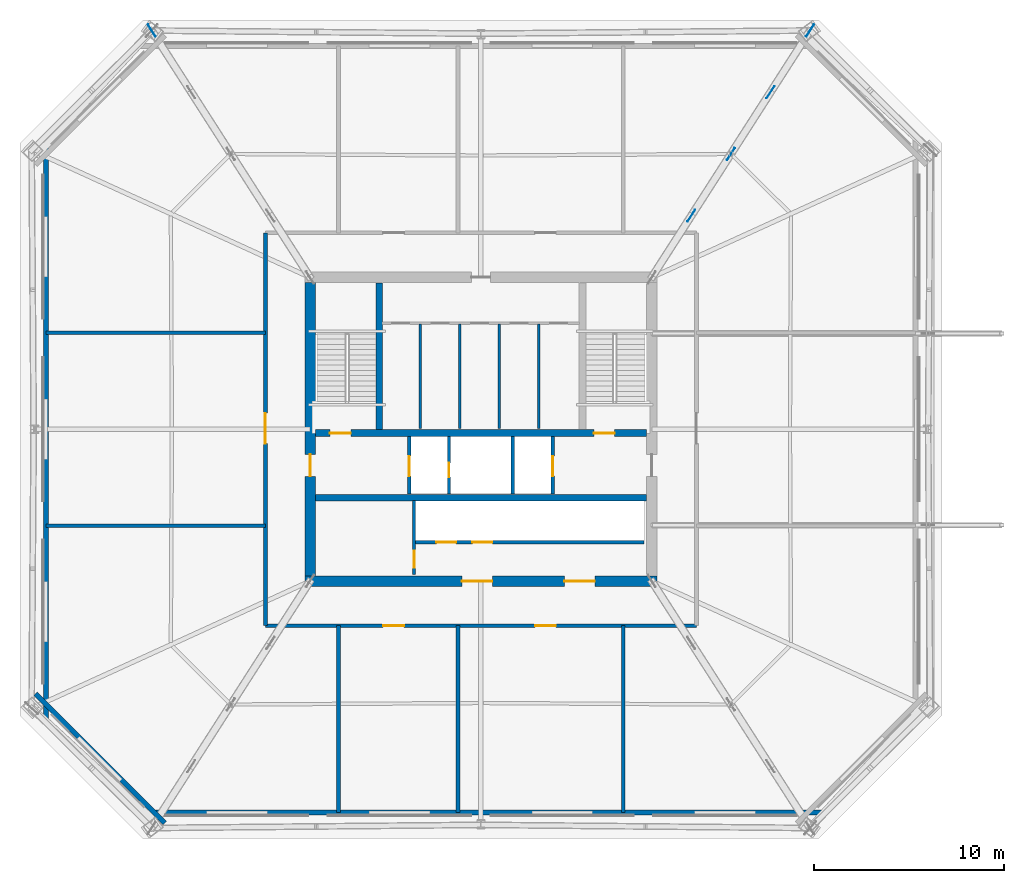
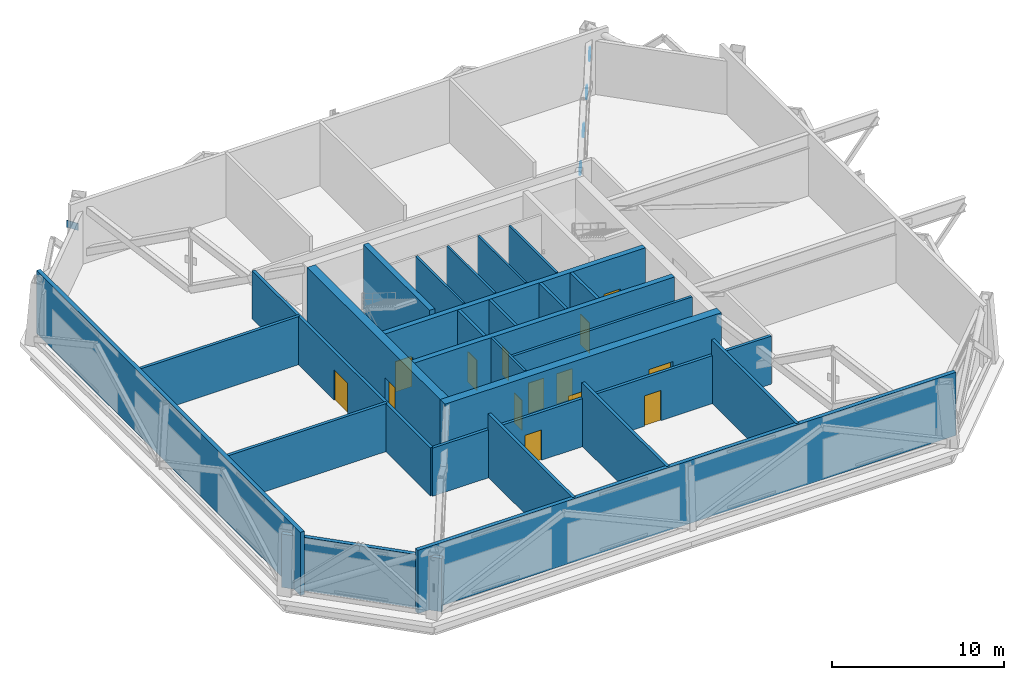
# One storey, part 11 of 15: 25 walls, 14 doors, 5 plates, 14 openings.
"""IFC4 building model written with IfcOpenShell, lengths in metres."""

from ifc_helpers import new_model, si_unit, direction, frame, frame_2d, origin, origin_2d, place, context, subcontext, project, spatial, rectangle, extrude, material, layer, layer_set, type_object, element, fill, save


model = new_model("IFC4")

# Units and contexts
model_context = context("Model", 3, precision=1e-05, world=origin(), true_north=direction((0.0, 1.0)))
body_context = subcontext(model_context, "Body", "Model", "MODEL_VIEW")
ifc_project = project(units=[si_unit("LENGTHUNIT", "METRE"), si_unit("AREAUNIT", "SQUARE_METRE"), si_unit("VOLUMEUNIT", "CUBIC_METRE"), si_unit("PLANEANGLEUNIT", "RADIAN"), si_unit("MASSUNIT", "GRAM", prefix="KILO")], contexts=[model_context])

# Site, building, storey
site_placement = place(None, origin())
site = spatial("IfcSite", under=ifc_project, at=site_placement, CompositionType="ELEMENT")
building_placement = place(site_placement, origin())
building = spatial("IfcBuilding", under=site, at=building_placement, Name="Caelvoria Tower", CompositionType="ELEMENT")
storey_placement = place(building_placement, frame((0.0, 0.0, 167.199951171875)))
storey = spatial("IfcBuildingStorey", under=building, at=storey_placement, Name="L44", CompositionType="ELEMENT", Elevation=167.199951171875)

# Plates
ifc_material_1 = material(Name="Structural Steel ASTM A572 Gr.50", Category="steel")
ifc_layer_1 = layer(ifc_material_1, 0.035888671875, Name="Structural Steel ASTM A572 Gr.50")
ifc_layer_set_1 = layer_set([ifc_layer_1], Name="Outrigger Node Gusset Plate 750x500x36 - Structural Steel ASTM A572 Gr.50")
plate_type = type_object("IfcPlateType", Name="Outrigger Node Gusset Plate 750x500x36", PredefinedType="USERDEFINED", material=ifc_layer_set_1)
for number, where, z_axis, x_axis, name in (
    (1, (63.341552734375, 53.0048828125, 1.989990234375), (0.0, 0.0, 1.0), (0.539903941972, 0.841726638193, 0.0), "Outrigger Gusset Plate END L44-NE"),
    (2, (59.1708984375, 46.50244140625, 1.989990234375), (0.0, 0.0, 1.0), (0.539903941972, 0.841726638193, 0.0), "Outrigger Gusset Plate MID L44-NE"),
    (3, (57.08544921875, 43.251220703125, 1.989990234375), (0.0, 0.0, 1.0), (0.539903941972, 0.841726638193, 0.0), "Outrigger Gusset Plate X1 L44-NE"),
    (4, (61.256103515625, 49.753662109375, 1.989990234375), (0.0, 0.0, 1.0), (0.539903941972, 0.841726638193, 0.0), "Outrigger Gusset Plate X2 L44-NE"),
    (5, (28.658447265625, 53.0048828125, 1.989990234375), (0.0, 0.0, 1.0), (-0.539903941972, 0.841726638193, 0.0), "Outrigger Gusset Plate END L44-NW"),
):
    element("IfcPlate", number, at=place(storey_placement, frame(where, z_axis=z_axis, x_axis=x_axis)), inside=storey, type_object=plate_type, Name=name, ObjectType="GUSSET_PLATE", PredefinedType="USERDEFINED", context=body_context, shape_type="SweptSolid", body=[
        extrude(rectangle(XDim=0.75, YDim=0.035888671875, at=origin_2d()), origin(), (0.0, 0.0, 1.0), 0.5),
    ])

# Wall, openings, doors
ifc_material_2 = material(Name="Concrete C50/60", Category="concrete")
ifc_layer_2 = layer(ifc_material_2, 0.35009765625, Name="Concrete C50/60")
ifc_layer_set_2 = layer_set([ifc_layer_2], Name="Core Internal Shear Wall 350 - Concrete C50/60")
wall_type_1 = type_object("IfcWallType", Name="Core Internal Shear Wall 350", PredefinedType="SHEAR", material=ifc_layer_set_2)
wall_1_placement = place(storey_placement, frame((37.27490234375, 31.800048828125, 0.0), z_axis=(0.0, 0.0, 1.0), x_axis=(1.0, 0.0, 0.0)))
wall_1 = element("IfcWall", 6, at=wall_1_placement, inside=storey, type_object=wall_type_1, Name="Core Shear Wall L44 M1", PredefinedType="SHEAR", context=body_context, shape_type="SweptSolid", body=[
    extrude(rectangle(XDim=17.4501953125, YDim=0.35009765625, at=frame_2d((8.72509765625, 0.0))), origin(), (0.0, 0.0, 1.0), 4.47998046875),
])
opening_1_placement = place(wall_1_placement, frame((0.77490234375, 0.0, 0.0)))
opening_1 = element("IfcOpeningElement", 7, at=opening_1_placement, cuts=wall_1, Name="Opening ID-01", PredefinedType="OPENING", context=body_context, shape_type="SweptSolid", body=[
    extrude(rectangle(XDim=1.10009765625, YDim=2.14990234375, at=frame_2d((0.550048828125, 1.074951171875))), frame((0.0, 0.18505859375, 0.0), z_axis=(0.0, -1.0, 0.0), x_axis=(1.0, 0.0, 0.0)), (0.0, 0.0, 1.0), 0.3701171875),
])
opening_2_placement = place(wall_1_placement, frame((14.675048828125, 0.0, 0.0)))
opening_2 = element("IfcOpeningElement", 8, at=opening_2_placement, cuts=wall_1, Name="Opening ID-01", PredefinedType="OPENING", context=body_context, shape_type="SweptSolid", body=[
    extrude(rectangle(XDim=1.10009765625, YDim=2.14990234375, at=frame_2d((0.550048828125, 1.074951171875))), frame((0.0, 0.18505859375, 0.0), z_axis=(0.0, -1.0, 0.0), x_axis=(1.0, 0.0, 0.0)), (0.0, 0.0, 1.0), 0.3701171875),
])
ifc_material_3 = material(Name="Painted Hollow Steel Fire Door", Category="steel")
door_type_1 = type_object("IfcDoorType", Name="Fire Door FD90S 1100x2150", OperationType="NOTDEFINED", PredefinedType="DOOR", material=ifc_material_3)
door_1_placement = place(opening_1_placement, origin())
door_1 = element("IfcDoor", 9, at=door_1_placement, inside=storey, type_object=door_type_1, Name="Core Door DR-L44-ST1", OperationType="SINGLE_SWING_LEFT", OverallHeight=2.14990234375, OverallWidth=1.10009765625, PredefinedType="DOOR", context=body_context, shape_type="SweptSolid", body=[
    extrude(rectangle(XDim=1.10009765625, YDim=2.14990234375, at=frame_2d((0.550048828125, 1.074951171875))), frame((0.0, 0.02490234375, 0.0), z_axis=(0.0, -1.0, 0.0), x_axis=(1.0, 0.0, 0.0)), (0.0, 0.0, 1.0), 0.050048828125),
])
fill(opening_1, door_1)
door_2_placement = place(opening_2_placement, origin())
door_2 = element("IfcDoor", 10, at=door_2_placement, inside=storey, type_object=door_type_1, Name="Core Door DR-L44-ST2", OperationType="SINGLE_SWING_RIGHT", OverallHeight=2.14990234375, OverallWidth=1.10009765625, PredefinedType="DOOR", context=body_context, shape_type="SweptSolid", body=[
    extrude(rectangle(XDim=1.10009765625, YDim=2.14990234375, at=frame_2d((0.550048828125, 1.074951171875))), frame((0.0, 0.02490234375, 0.0), z_axis=(0.0, -1.0, 0.0), x_axis=(1.0, 0.0, 0.0)), (0.0, 0.0, 1.0), 0.050048828125),
])
fill(opening_2, door_2)

# Walls
wall_2_placement = place(storey_placement, frame((37.27490234375, 28.39990234375, 0.0), z_axis=(0.0, 0.0, 1.0), x_axis=(1.0, 0.0, 0.0)))
element("IfcWall", 11, at=wall_2_placement, inside=storey, type_object=wall_type_1, Name="Core Shear Wall L44 M2", PredefinedType="SHEAR", context=body_context, shape_type="SweptSolid", body=[
    extrude(rectangle(XDim=17.4501953125, YDim=0.35009765625, at=frame_2d((8.72509765625, 0.0))), origin(), (0.0, 0.0, 1.0), 4.47998046875),
])
wall_3_placement = place(storey_placement, frame((40.64990234375, 32.0, 0.0), z_axis=(0.0, 0.0, 1.0), x_axis=(0.0, 1.0, 0.0)))
element("IfcWall", 12, at=wall_3_placement, inside=storey, type_object=wall_type_1, Name="Interior Partition IW-L44-ST1E", PredefinedType="SHEAR", context=body_context, shape_type="SweptSolid", body=[
    extrude(rectangle(XDim=7.699951171875, YDim=0.35009765625, at=frame_2d((3.85009765625, 0.0))), origin(), (0.0, 0.0, 1.0), 4.800048828125),
])
ifc_material_4 = material(Name="Moisture-Resistant Gypsum on Steel Stud", Category="steel")
ifc_layer_3 = layer(ifc_material_4, 0.139892578125, Name="Moisture-Resistant Gypsum on Steel Stud")
ifc_layer_set_3 = layer_set([ifc_layer_3], Name="Core Sanitary Acoustic Partition Wall 140 - Moisture-Resistant Gypsum on Steel Stud")
wall_type_2 = type_object("IfcWallType", Name="Core Sanitary Acoustic Partition Wall 140", PredefinedType="PARTITIONING", material=ifc_layer_set_3)
for number, where, z_axis, x_axis, name in (
    (13, (42.81005859375, 32.050048828125, 0.0), (0.0, 0.0, 1.0), (0.0, 1.0, 0.0), "Interior Partition IW-L44-C1V0"),
    (14, (44.889892578125, 32.050048828125, 0.0), (0.0, 0.0, 1.0), (0.0, 1.0, 0.0), "Interior Partition IW-L44-C1V1"),
    (15, (46.969970703125, 32.050048828125, 0.0), (0.0, 0.0, 1.0), (0.0, 1.0, 0.0), "Interior Partition IW-L44-C1V2"),
    (16, (49.050048828125, 32.050048828125, 0.0), (0.0, 0.0, 1.0), (0.0, 1.0, 0.0), "Interior Partition IW-L44-C1V3"),
):
    element("IfcWall", number, at=place(storey_placement, frame(where, z_axis=z_axis, x_axis=x_axis)), inside=storey, type_object=wall_type_2, Name=name, PredefinedType="PARTITIONING", context=body_context, shape_type="SweptSolid", body=[
        extrude(rectangle(XDim=5.5, YDim=0.139892578125, at=frame_2d((2.75, 0.0))), origin(), (0.0, 0.0, 1.0), 4.47998046875),
    ])

# Wall, opening, door
ifc_material_5 = material(Name="Double Gypsum Board on Steel Stud", Category="steel")
ifc_layer_4 = layer(ifc_material_5, 0.14990234375, Name="Double Gypsum Board on Steel Stud")
ifc_layer_set_4 = layer_set([ifc_layer_4], Name="Core Service Acoustic Partition Wall 150 - Double Gypsum Board on Steel Stud")
wall_type_3 = type_object("IfcWallType", Name="Core Service Acoustic Partition Wall 150", PredefinedType="PARTITIONING", material=ifc_layer_set_4)
wall_4_placement = place(storey_placement, frame((42.47998046875, 24.35009765625, 0.0), z_axis=(0.0, 0.0, 1.0), x_axis=(0.0, 1.0, 0.0)))
wall_4 = element("IfcWall", 17, at=wall_4_placement, inside=storey, type_object=wall_type_3, Name="Interior Partition IW-L44-RECL1E", PredefinedType="PARTITIONING", context=body_context, shape_type="SweptSolid", body=[
    extrude(rectangle(XDim=3.89990234375, YDim=0.14990234375, at=frame_2d((1.949951171875, 0.0))), origin(), (0.0, 0.0, 1.0), 4.47998046875),
])
opening_3_placement = place(wall_4_placement, frame((0.35009765625, 0.0, 0.0)))
opening_3 = element("IfcOpeningElement", 18, at=opening_3_placement, cuts=wall_4, Name="Opening ID-04", PredefinedType="OPENING", context=body_context, shape_type="SweptSolid", body=[
    extrude(rectangle(XDim=0.89990234375, YDim=2.14990234375, at=frame_2d((0.449951171875, 1.074951171875))), frame((0.0, 0.0849609375, 0.0), z_axis=(0.0, -1.0, 0.0), x_axis=(1.0, 0.0, 0.0)), (0.0, 0.0, 1.0), 0.169921875),
])
ifc_material_6 = material(Name="Acoustic Timber Fire Door", Category="wood")
door_type_2 = type_object("IfcDoorType", Name="Fire Door FD30S 900x2150", OperationType="NOTDEFINED", PredefinedType="DOOR", material=ifc_material_6)
door_3_placement = place(opening_3_placement, origin())
door_3 = element("IfcDoor", 19, at=door_3_placement, inside=storey, type_object=door_type_2, Name="Interior Door DR-L44-RECL1", OperationType="SINGLE_SWING_LEFT", OverallHeight=2.14990234375, OverallWidth=0.89990234375, PredefinedType="DOOR", context=body_context, shape_type="SweptSolid", body=[
    extrude(rectangle(XDim=0.89990234375, YDim=2.14990234375, at=frame_2d((0.449951171875, 1.074951171875))), frame((0.0, 0.02490234375, 0.0), z_axis=(0.0, -1.0, 0.0), x_axis=(1.0, 0.0, 0.0)), (0.0, 0.0, 1.0), 0.050048828125),
])
fill(opening_3, door_3)

ifc_material_7 = material(Name="Concrete Block and Fireboard Assembly", Category="concrete")
ifc_layer_5 = layer(ifc_material_7, 0.179931640625, Name="Concrete Block and Fireboard Assembly")
ifc_layer_set_5 = layer_set([ifc_layer_5], Name="Fire-Rated Hoistway Partition Wall 180 - Concrete Block and Fireboard Assembly")
wall_type_4 = type_object("IfcWallType", Name="Fire-Rated Hoistway Partition Wall 180", PredefinedType="PARTITIONING", material=ifc_layer_set_5)
wall_5_placement = place(storey_placement, frame((44.320068359375, 28.580078125, 0.0), z_axis=(0.0, 0.0, 1.0), x_axis=(0.0, 1.0, 0.0)))
wall_5 = element("IfcWall", 20, at=wall_5_placement, inside=storey, type_object=wall_type_4, Name="Interior Partition IW-L44-SV1W", PredefinedType="PARTITIONING", context=body_context, shape_type="SweptSolid", body=[
    extrude(rectangle(XDim=3.0400390625, YDim=0.179931640625, at=frame_2d((1.52001953125, 0.0))), origin(), (0.0, 0.0, 1.0), 4.47998046875),
])
opening_4_placement = place(wall_5_placement, frame((0.89990234375, 0.0, 0.0)))
opening_4 = element("IfcOpeningElement", 21, at=opening_4_placement, cuts=wall_5, Name="Opening TD-01", PredefinedType="OPENING", context=body_context, shape_type="SweptSolid", body=[
    extrude(rectangle(XDim=0.75, YDim=2.0, at=frame_2d((0.375, 1.0))), frame((0.0, 0.099853515625, 0.0), z_axis=(0.0, -1.0, 0.0), x_axis=(1.0, 0.0, 0.0)), (0.0, 0.0, 1.0), 0.199951171875),
])
ifc_material_8 = material(Name="Insulated Steel Service Access Trapdoor", Category="steel")
door_type_3 = type_object("IfcDoorType", Name="Riser Maintenance Access Trapdoor 750x1850", OperationType="NOTDEFINED", PredefinedType="TRAPDOOR", material=ifc_material_8)
door_4_placement = place(opening_4_placement, origin())
door_4 = element("IfcDoor", 22, at=door_4_placement, inside=storey, type_object=door_type_3, Name="Wet Riser Access Trapdoor L44", OperationType="SINGLE_SWING_LEFT", OverallHeight=2.0, OverallWidth=0.75, PredefinedType="TRAPDOOR", context=body_context, shape_type="SweptSolid", body=[
    extrude(rectangle(XDim=0.75, YDim=2.0, at=frame_2d((0.375, 1.0))), frame((0.0, 0.02490234375, 0.0), z_axis=(0.0, -1.0, 0.0), x_axis=(1.0, 0.0, 0.0)), (0.0, 0.0, 1.0), 0.050048828125),
])
fill(opening_4, door_4)

# Wall
wall_6_placement = place(storey_placement, frame((47.679931640625, 28.580078125, 0.0), z_axis=(0.0, 0.0, 1.0), x_axis=(0.0, 1.0, 0.0)))
element("IfcWall", 23, at=wall_6_placement, inside=storey, type_object=wall_type_4, Name="Interior Partition IW-L44-SV1E", PredefinedType="PARTITIONING", context=body_context, shape_type="SweptSolid", body=[
    extrude(rectangle(XDim=3.0400390625, YDim=0.179931640625, at=frame_2d((1.52001953125, 0.0))), origin(), (0.0, 0.0, 1.0), 4.47998046875),
])

# Wall, openings, doors
wall_7_placement = place(storey_placement, frame((42.550048828125, 26.050048828125, 0.0), z_axis=(0.0, 0.0, 1.0), x_axis=(1.0, 0.0, 0.0)))
wall_7 = element("IfcWall", 24, at=wall_7_placement, inside=storey, type_object=wall_type_4, Name="Interior Partition IW-L44-LFRONT", PredefinedType="PARTITIONING", context=body_context, shape_type="SweptSolid", body=[
    extrude(rectangle(XDim=12.050048828125, YDim=0.179931640625, at=frame_2d((6.02490234375, 0.0))), origin(), (0.0, 0.0, 1.0), 4.47998046875),
])
opening_5_placement = place(wall_7_placement, frame((1.10009765625, 0.0, 0.0)))
opening_5 = element("IfcOpeningElement", 25, at=opening_5_placement, cuts=wall_7, Name="Opening LD-01", PredefinedType="OPENING", context=body_context, shape_type="SweptSolid", body=[
    extrude(rectangle(XDim=1.050048828125, YDim=2.14990234375, at=frame_2d((0.52490234375, 1.074951171875))), frame((0.0, 0.099853515625, 0.0), z_axis=(0.0, -1.0, 0.0), x_axis=(1.0, 0.0, 0.0)), (0.0, 0.0, 1.0), 0.199951171875),
])
opening_6_placement = place(wall_7_placement, frame((3.0, 0.0, 0.0)))
opening_6 = element("IfcOpeningElement", 26, at=opening_6_placement, cuts=wall_7, Name="Opening LD-01", PredefinedType="OPENING", context=body_context, shape_type="SweptSolid", body=[
    extrude(rectangle(XDim=1.050048828125, YDim=2.14990234375, at=frame_2d((0.52490234375, 1.074951171875))), frame((0.0, 0.099853515625, 0.0), z_axis=(0.0, -1.0, 0.0), x_axis=(1.0, 0.0, 0.0)), (0.0, 0.0, 1.0), 0.199951171875),
])
ifc_material_9 = material(Name="Brushed Bronze Stainless Sliding Landing Door", Category="aluminium")
door_type_4 = type_object("IfcDoorType", Name="Lift Landing Sliding Door 1100x2150", OperationType="NOTDEFINED", PredefinedType="DOOR", material=ifc_material_9)
door_5_placement = place(opening_5_placement, origin())
door_5 = element("IfcDoor", 27, at=door_5_placement, inside=storey, type_object=door_type_4, Name="Interior Door LD-L44-PM1", OperationType="SLIDING_TO_LEFT", OverallHeight=2.14990234375, OverallWidth=1.050048828125, PredefinedType="DOOR", context=body_context, shape_type="SweptSolid", body=[
    extrude(rectangle(XDim=1.050048828125, YDim=2.14990234375, at=frame_2d((0.52490234375, 1.074951171875))), frame((0.0, 0.02490234375, 0.0), z_axis=(0.0, -1.0, 0.0), x_axis=(1.0, 0.0, 0.0)), (0.0, 0.0, 1.0), 0.050048828125),
])
fill(opening_5, door_5)
door_6_placement = place(opening_6_placement, origin())
door_6 = element("IfcDoor", 28, at=door_6_placement, inside=storey, type_object=door_type_4, Name="Interior Door LD-L44-PM2", OperationType="SLIDING_TO_RIGHT", OverallHeight=2.14990234375, OverallWidth=1.050048828125, PredefinedType="DOOR", context=body_context, shape_type="SweptSolid", body=[
    extrude(rectangle(XDim=1.050048828125, YDim=2.14990234375, at=frame_2d((0.52490234375, 1.074951171875))), frame((0.0, 0.02490234375, 0.0), z_axis=(0.0, -1.0, 0.0), x_axis=(1.0, 0.0, 0.0)), (0.0, 0.0, 1.0), 0.050048828125),
])
fill(opening_6, door_6)

# Wall, opening, door
ifc_layer_6 = layer(ifc_material_7, 0.199951171875, Name="Concrete Block and Fireboard Assembly")
ifc_layer_set_6 = layer_set([ifc_layer_6], Name="Fire-Rated Shaft and Core Partition Wall 200 - Concrete Block and Fireboard Assembly")
wall_type_5 = type_object("IfcWallType", Name="Fire-Rated Shaft and Core Partition Wall 200", PredefinedType="PARTITIONING", material=ifc_layer_set_6)
wall_8_placement = place(storey_placement, frame((42.219970703125, 28.580078125, 0.0), z_axis=(0.0, 0.0, 1.0), x_axis=(0.0, 1.0, 0.0)))
wall_8 = element("IfcWall", 29, at=wall_8_placement, inside=storey, type_object=wall_type_5, Name="Interior Partition IW-L44-LF1W", PredefinedType="PARTITIONING", context=body_context, shape_type="SweptSolid", body=[
    extrude(rectangle(XDim=3.0400390625, YDim=0.199951171875, at=frame_2d((1.52001953125, 0.0))), origin(), (0.0, 0.0, 1.0), 4.47998046875),
])
opening_7_placement = place(wall_8_placement, frame((0.949951171875, 0.0, 0.0)))
opening_7 = element("IfcOpeningElement", 30, at=opening_7_placement, cuts=wall_8, Name="Opening LD-01", PredefinedType="OPENING", context=body_context, shape_type="SweptSolid", body=[
    extrude(rectangle(XDim=1.050048828125, YDim=2.14990234375, at=frame_2d((0.52490234375, 1.074951171875))), frame((0.0, 0.10986328125, 0.0), z_axis=(0.0, -1.0, 0.0), x_axis=(1.0, 0.0, 0.0)), (0.0, 0.0, 1.0), 0.219970703125),
])
door_7_placement = place(opening_7_placement, origin())
door_7 = element("IfcDoor", 31, at=door_7_placement, inside=storey, type_object=door_type_4, Name="Interior Door LD-L44-LF1", OperationType="SLIDING_TO_LEFT", OverallHeight=2.14990234375, OverallWidth=1.050048828125, PredefinedType="DOOR", context=body_context, shape_type="SweptSolid", body=[
    extrude(rectangle(XDim=1.050048828125, YDim=2.14990234375, at=frame_2d((0.52490234375, 1.074951171875))), frame((0.0, 0.02490234375, 0.0), z_axis=(0.0, -1.0, 0.0), x_axis=(1.0, 0.0, 0.0)), (0.0, 0.0, 1.0), 0.050048828125),
])
fill(opening_7, door_7)

wall_9_placement = place(storey_placement, frame((49.780029296875, 28.580078125, 0.0), z_axis=(0.0, 0.0, 1.0), x_axis=(0.0, 1.0, 0.0)))
wall_9 = element("IfcWall", 32, at=wall_9_placement, inside=storey, type_object=wall_type_5, Name="Interior Partition IW-L44-LF2E", PredefinedType="PARTITIONING", context=body_context, shape_type="SweptSolid", body=[
    extrude(rectangle(XDim=3.0400390625, YDim=0.199951171875, at=frame_2d((1.52001953125, 0.0))), origin(), (0.0, 0.0, 1.0), 4.47998046875),
])
opening_8_placement = place(wall_9_placement, frame((0.949951171875, 0.0, 0.0)))
opening_8 = element("IfcOpeningElement", 33, at=opening_8_placement, cuts=wall_9, Name="Opening LD-01", PredefinedType="OPENING", context=body_context, shape_type="SweptSolid", body=[
    extrude(rectangle(XDim=1.050048828125, YDim=2.14990234375, at=frame_2d((0.52490234375, 1.074951171875))), frame((0.0, 0.10986328125, 0.0), z_axis=(0.0, -1.0, 0.0), x_axis=(1.0, 0.0, 0.0)), (0.0, 0.0, 1.0), 0.219970703125),
])
door_8_placement = place(opening_8_placement, origin())
door_8 = element("IfcDoor", 34, at=door_8_placement, inside=storey, type_object=door_type_4, Name="Interior Door LD-L44-LF2", OperationType="SLIDING_TO_RIGHT", OverallHeight=2.14990234375, OverallWidth=1.050048828125, PredefinedType="DOOR", context=body_context, shape_type="SweptSolid", body=[
    extrude(rectangle(XDim=1.050048828125, YDim=2.14990234375, at=frame_2d((0.52490234375, 1.074951171875))), frame((0.0, 0.02490234375, 0.0), z_axis=(0.0, -1.0, 0.0), x_axis=(1.0, 0.0, 0.0)), (0.0, 0.0, 1.0), 0.050048828125),
])
fill(opening_8, door_8)

# Walls
for number, where, z_axis, x_axis, name in (
    (35, (44.800048828125, 11.820068359375, 0.0), (0.0, 0.0, 1.0), (0.0, 1.0, 0.0), "Interior Partition IW-L44-PLT-SM"),
    (36, (38.5, 11.820068359375, 0.0), (0.0, 0.0, 1.0), (0.0, 1.0, 0.0), "Interior Partition IW-L44-OCH-SWS"),
    (37, (53.5, 11.820068359375, 0.0), (0.0, 0.0, 1.0), (0.0, 1.0, 0.0), "Interior Partition IW-L44-OCH-SES"),
):
    element("IfcWall", number, at=place(storey_placement, frame(where, z_axis=z_axis, x_axis=x_axis)), inside=storey, type_object=wall_type_5, Name=name, PredefinedType="PARTITIONING", context=body_context, shape_type="SweptSolid", body=[
        extrude(rectangle(XDim=9.829833984375, YDim=0.199951171875, at=frame_2d((4.9150390625, 0.0))), origin(), (0.0, 0.0, 1.0), 4.47998046875),
    ])

# Wall, openings, doors
wall_10_placement = place(storey_placement, frame((34.64990234375, 21.64990234375, 0.0), z_axis=(0.0, 0.0, 1.0), x_axis=(1.0, 0.0, 0.0)))
wall_10 = element("IfcWall", 38, at=wall_10_placement, inside=storey, type_object=wall_type_5, Name="Interior Partition IW-L44-CRS", PredefinedType="PARTITIONING", context=body_context, shape_type="SweptSolid", body=[
    extrude(rectangle(XDim=22.7001953125, YDim=0.199951171875, at=frame_2d((11.35009765625, 0.0))), origin(), (0.0, 0.0, 1.0), 3.41015625),
])
opening_9_placement = place(wall_10_placement, frame((6.199951171875, 0.0, 0.0)))
opening_9 = element("IfcOpeningElement", 39, at=opening_9_placement, cuts=wall_10, Name="Opening ID-01", PredefinedType="OPENING", context=body_context, shape_type="SweptSolid", body=[
    extrude(rectangle(XDim=1.10009765625, YDim=2.14990234375, at=frame_2d((0.550048828125, 1.074951171875))), frame((0.0, 0.10986328125, 0.0), z_axis=(0.0, -1.0, 0.0), x_axis=(1.0, 0.0, 0.0)), (0.0, 0.0, 1.0), 0.219970703125),
])
opening_10_placement = place(wall_10_placement, frame((14.199951171875, 0.0, 0.0)))
opening_10 = element("IfcOpeningElement", 40, at=opening_10_placement, cuts=wall_10, Name="Opening ID-01", PredefinedType="OPENING", context=body_context, shape_type="SweptSolid", body=[
    extrude(rectangle(XDim=1.10009765625, YDim=2.14990234375, at=frame_2d((0.550048828125, 1.074951171875))), frame((0.0, 0.10986328125, 0.0), z_axis=(0.0, -1.0, 0.0), x_axis=(1.0, 0.0, 0.0)), (0.0, 0.0, 1.0), 0.219970703125),
])
door_9_placement = place(opening_9_placement, origin())
door_9 = element("IfcDoor", 41, at=door_9_placement, inside=storey, type_object=door_type_1, Name="Interior Door DR-L44-PLTS1", OperationType="SINGLE_SWING_LEFT", OverallHeight=2.14990234375, OverallWidth=1.10009765625, PredefinedType="DOOR", context=body_context, shape_type="SweptSolid", body=[
    extrude(rectangle(XDim=1.10009765625, YDim=2.14990234375, at=frame_2d((0.550048828125, 1.074951171875))), frame((0.0, 0.02490234375, 0.0), z_axis=(0.0, -1.0, 0.0), x_axis=(1.0, 0.0, 0.0)), (0.0, 0.0, 1.0), 0.050048828125),
])
fill(opening_9, door_9)
door_10_placement = place(opening_10_placement, origin())
door_10 = element("IfcDoor", 42, at=door_10_placement, inside=storey, type_object=door_type_1, Name="Interior Door DR-L44-PLTS2", OperationType="SINGLE_SWING_RIGHT", OverallHeight=2.14990234375, OverallWidth=1.10009765625, PredefinedType="DOOR", context=body_context, shape_type="SweptSolid", body=[
    extrude(rectangle(XDim=1.10009765625, YDim=2.14990234375, at=frame_2d((0.550048828125, 1.074951171875))), frame((0.0, 0.02490234375, 0.0), z_axis=(0.0, -1.0, 0.0), x_axis=(1.0, 0.0, 0.0)), (0.0, 0.0, 1.0), 0.050048828125),
])
fill(opening_10, door_10)

# Wall, opening, door
wall_11_placement = place(storey_placement, frame((34.64990234375, 21.64990234375, 0.0), z_axis=(0.0, 0.0, 1.0), x_axis=(0.0, 1.0, 0.0)))
wall_11 = element("IfcWall", 43, at=wall_11_placement, inside=storey, type_object=wall_type_5, Name="Interior Partition IW-L44-CRW", PredefinedType="PARTITIONING", context=body_context, shape_type="SweptSolid", body=[
    extrude(rectangle(XDim=20.7001953125, YDim=0.199951171875, at=frame_2d((10.35009765625, 0.0))), origin(), (0.0, 0.0, 1.0), 3.41015625),
])
opening_11_placement = place(wall_11_placement, frame((9.60009765625, 0.0, 0.0)))
opening_11 = element("IfcOpeningElement", 44, at=opening_11_placement, cuts=wall_11, Name="Opening ID-08", PredefinedType="OPENING", context=body_context, shape_type="SweptSolid", body=[
    extrude(rectangle(XDim=1.60009765625, YDim=2.14990234375, at=frame_2d((0.800048828125, 1.074951171875))), frame((0.0, 0.10986328125, 0.0), z_axis=(0.0, -1.0, 0.0), x_axis=(1.0, 0.0, 0.0)), (0.0, 0.0, 1.0), 0.219970703125),
])
ifc_material_10 = material(Name="Bronze-Framed Fire-Rated Glazed Double Door", Category="aluminium")
door_type_5 = type_object("IfcDoorType", Name="Double Lobby Glazed Door 1600x2200", OperationType="NOTDEFINED", PredefinedType="DOOR", material=ifc_material_10)
door_11_placement = place(opening_11_placement, origin())
door_11 = element("IfcDoor", 45, at=door_11_placement, inside=storey, type_object=door_type_5, Name="Interior Door DR-L44-REFW", OperationType="DOUBLE_DOOR_SINGLE_SWING", OverallHeight=2.14990234375, OverallWidth=1.60009765625, PredefinedType="DOOR", context=body_context, shape_type="SweptSolid", body=[
    extrude(rectangle(XDim=1.60009765625, YDim=2.14990234375, at=frame_2d((0.800048828125, 1.074951171875))), frame((0.0, 0.02490234375, 0.0), z_axis=(0.0, -1.0, 0.0), x_axis=(1.0, 0.0, 0.0)), (0.0, 0.0, 1.0), 0.050048828125),
])
fill(opening_11, door_11)

# Walls
for number, where, z_axis, x_axis, name in (
    (46, (23.10009765625, 26.919921875, 0.0), (0.0, 0.0, 1.0), (1.0, 0.0, 0.0), "Interior Partition IW-L44-RSEP-WS"),
    (47, (23.10009765625, 37.080078125, 0.0), (0.0, 0.0, 1.0), (1.0, 0.0, 0.0), "Interior Partition IW-L44-RSEP-WN"),
):
    element("IfcWall", number, at=place(storey_placement, frame(where, z_axis=z_axis, x_axis=x_axis)), inside=storey, type_object=wall_type_5, Name=name, PredefinedType="PARTITIONING", context=body_context, shape_type="SweptSolid", body=[
        extrude(rectangle(XDim=11.5498046875, YDim=0.199951171875, at=frame_2d((5.77490234375, 0.0))), origin(), (0.0, 0.0, 1.0), 3.41015625),
    ])

# Wall, openings, doors
ifc_material_11 = material(Name="Concrete C55/67", Category="concrete")
ifc_layer_7 = layer(ifc_material_11, 0.550048828125, Name="Concrete C55/67")
ifc_layer_set_7 = layer_set([ifc_layer_7], Name="Mid Core Shear Wall 550 - Concrete C55/67")
wall_type_6 = type_object("IfcWallType", Name="Mid Core Shear Wall 550", PredefinedType="SHEAR", material=ifc_layer_set_7)
wall_12_placement = place(storey_placement, frame((36.72509765625, 24.0, 0.0), z_axis=(0.0, 0.0, 1.0), x_axis=(1.0, 0.0, 0.0)))
wall_12 = element("IfcWall", 48, at=wall_12_placement, inside=storey, type_object=wall_type_6, Name="Core Shear Wall L44 S", PredefinedType="SHEAR", context=body_context, shape_type="SweptSolid", body=[
    extrude(rectangle(XDim=18.5498046875, YDim=0.550048828125, at=frame_2d((9.27490234375, 0.0))), origin(), (0.0, 0.0, 1.0), 4.47998046875),
])
opening_12_placement = place(wall_12_placement, frame((8.27490234375, 0.0, 0.0)))
opening_12 = element("IfcOpeningElement", 49, at=opening_12_placement, cuts=wall_12, Name="Opening ID-08", PredefinedType="OPENING", context=body_context, shape_type="SweptSolid", body=[
    extrude(rectangle(XDim=1.60009765625, YDim=2.14990234375, at=frame_2d((0.800048828125, 1.074951171875))), frame((0.0, 0.284912109375, 0.0), z_axis=(0.0, -1.0, 0.0), x_axis=(1.0, 0.0, 0.0)), (0.0, 0.0, 1.0), 0.570068359375),
])
opening_13_placement = place(wall_12_placement, frame((13.675048828125, 0.0, 0.0)))
opening_13 = element("IfcOpeningElement", 50, at=opening_13_placement, cuts=wall_12, Name="Opening ID-08", PredefinedType="OPENING", context=body_context, shape_type="SweptSolid", body=[
    extrude(rectangle(XDim=1.60009765625, YDim=2.14990234375, at=frame_2d((0.800048828125, 1.074951171875))), frame((0.0, 0.284912109375, 0.0), z_axis=(0.0, -1.0, 0.0), x_axis=(1.0, 0.0, 0.0)), (0.0, 0.0, 1.0), 0.570068359375),
])
door_12_placement = place(opening_12_placement, origin())
door_12 = element("IfcDoor", 51, at=door_12_placement, inside=storey, type_object=door_type_5, Name="Core Door DR-L44-LLOB-S1", OperationType="DOUBLE_DOOR_SINGLE_SWING", OverallHeight=2.14990234375, OverallWidth=1.60009765625, PredefinedType="DOOR", context=body_context, shape_type="SweptSolid", body=[
    extrude(rectangle(XDim=1.60009765625, YDim=2.14990234375, at=frame_2d((0.800048828125, 1.074951171875))), frame((0.0, 0.02490234375, 0.0), z_axis=(0.0, -1.0, 0.0), x_axis=(1.0, 0.0, 0.0)), (0.0, 0.0, 1.0), 0.050048828125),
])
fill(opening_12, door_12)
door_13_placement = place(opening_13_placement, origin())
door_13 = element("IfcDoor", 52, at=door_13_placement, inside=storey, type_object=door_type_5, Name="Core Door DR-L44-LLOB-S2", OperationType="DOUBLE_DOOR_SINGLE_SWING", OverallHeight=2.14990234375, OverallWidth=1.60009765625, PredefinedType="DOOR", context=body_context, shape_type="SweptSolid", body=[
    extrude(rectangle(XDim=1.60009765625, YDim=2.14990234375, at=frame_2d((0.800048828125, 1.074951171875))), frame((0.0, 0.02490234375, 0.0), z_axis=(0.0, -1.0, 0.0), x_axis=(1.0, 0.0, 0.0)), (0.0, 0.0, 1.0), 0.050048828125),
])
fill(opening_13, door_13)

# Wall, opening, door
wall_13_placement = place(storey_placement, frame((37.0, 24.27490234375, 0.0), z_axis=(0.0, 0.0, 1.0), x_axis=(0.0, 1.0, 0.0)))
wall_13 = element("IfcWall", 53, at=wall_13_placement, inside=storey, type_object=wall_type_6, Name="Core Shear Wall L44 W", PredefinedType="SHEAR", context=body_context, shape_type="SweptSolid", body=[
    extrude(rectangle(XDim=15.4501953125, YDim=0.550048828125, at=frame_2d((7.72509765625, 0.0))), origin(), (0.0, 0.0, 1.0), 4.47998046875),
])
opening_14_placement = place(wall_13_placement, frame((5.25, 0.0, 0.0)))
opening_14 = element("IfcOpeningElement", 54, at=opening_14_placement, cuts=wall_13, Name="Opening ID-02", PredefinedType="OPENING", context=body_context, shape_type="SweptSolid", body=[
    extrude(rectangle(XDim=1.14990234375, YDim=2.14990234375, at=frame_2d((0.574951171875, 1.074951171875))), frame((0.0, 0.284912109375, 0.0), z_axis=(0.0, -1.0, 0.0), x_axis=(1.0, 0.0, 0.0)), (0.0, 0.0, 1.0), 0.570068359375),
])
door_type_6 = type_object("IfcDoorType", Name="Fire Door FD60S 1150x2150", OperationType="NOTDEFINED", PredefinedType="DOOR", material=ifc_material_3)
door_14_placement = place(opening_14_placement, origin())
door_14 = element("IfcDoor", 55, at=door_14_placement, inside=storey, type_object=door_type_6, Name="Core Door DR-L44-FFLW-OUT", OperationType="SINGLE_SWING_LEFT", OverallHeight=2.14990234375, OverallWidth=1.14990234375, PredefinedType="DOOR", context=body_context, shape_type="SweptSolid", body=[
    extrude(rectangle(XDim=1.14990234375, YDim=2.14990234375, at=frame_2d((0.574951171875, 1.074951171875))), frame((0.0, 0.02490234375, 0.0), z_axis=(0.0, -1.0, 0.0), x_axis=(1.0, 0.0, 0.0)), (0.0, 0.0, 1.0), 0.050048828125),
])
fill(opening_14, door_14)

# Walls
ifc_material_12 = material(Name="Precast Concrete C40/50", Category="concrete")
ifc_layer_8 = layer(ifc_material_12, 0.260009765625, Name="Precast Concrete C40/50")
ifc_layer_set_8 = layer_set([ifc_layer_8], Name="Plant Room Acoustic Louvred Facade Wall 260 - Precast Concrete C40/50")
wall_type_7 = type_object("IfcWallType", Name="Plant Room Acoustic Louvred Facade Wall 260", PredefinedType="STANDARD", material=ifc_layer_set_8)
wall_14_placement = place(storey_placement, frame((27.9599609375, 11.820068359375, 0.0), z_axis=(0.0, 0.0, 1.0), x_axis=(1.0, 0.0, 0.0)))
element("IfcWall", 56, at=wall_14_placement, inside=storey, type_object=wall_type_7, Name="Exterior Facade Wall L44-E0", PredefinedType="STANDARD", context=body_context, shape_type="SweptSolid", body=[
    extrude(rectangle(XDim=36.080078125, YDim=0.260009765625, at=frame_2d((18.0400390625, 0.0))), origin(), (0.0, 0.0, 1.0), 4.47998046875),
])
wall_15_placement = place(storey_placement, frame((23.10009765625, 47.320068359375, 0.0), z_axis=(0.0, 0.0, 1.0), x_axis=(0.0, -1.0, 0.0)))
element("IfcWall", 57, at=wall_15_placement, inside=storey, type_object=wall_type_7, Name="Exterior Facade Wall L44-E6", PredefinedType="STANDARD", context=body_context, shape_type="SweptSolid", body=[
    extrude(rectangle(XDim=30.64013671875, YDim=0.260009765625, at=frame_2d((15.320068359375, 0.0))), origin(), (0.0, 0.0, 1.0), 4.47998046875),
])
wall_16_placement = place(storey_placement, frame((22.526123046875, 18.0654296875, 0.0), z_axis=(0.0, 0.0, 1.0), x_axis=(0.707106781187, -0.707106781187, 0.0)))
element("IfcWall", 58, at=wall_16_placement, inside=storey, type_object=wall_type_7, Name="Exterior Facade Wall L44-E7", PredefinedType="STANDARD", context=body_context, shape_type="SweptSolid", body=[
    extrude(rectangle(XDim=9.64404296875, YDim=0.260009765625, at=frame_2d((4.822021484375, 0.0))), origin(), (0.0, 0.0, 1.0), 3.781982421875),
])

save(model, "model.ifc")
